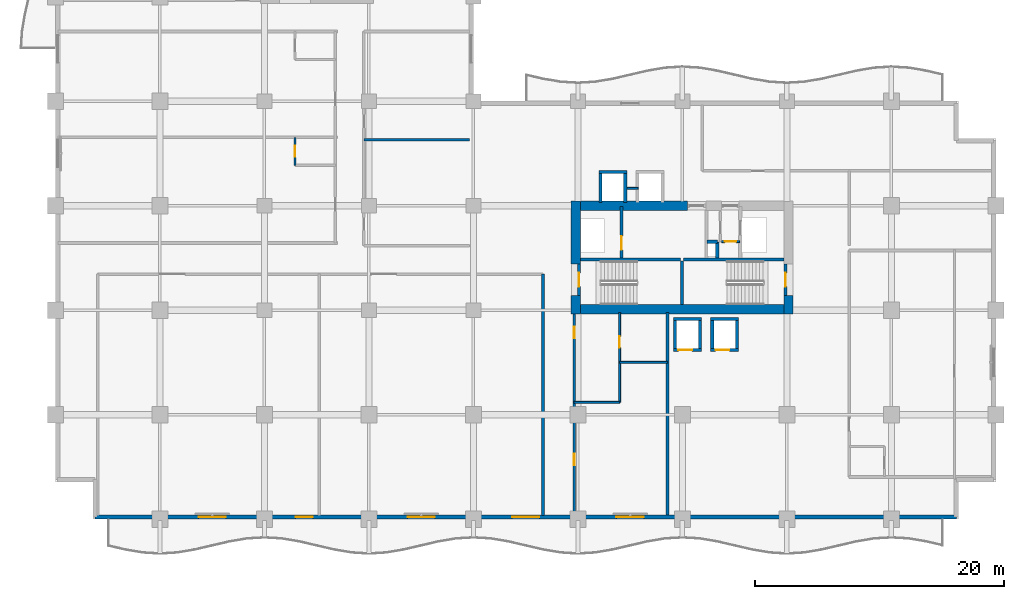
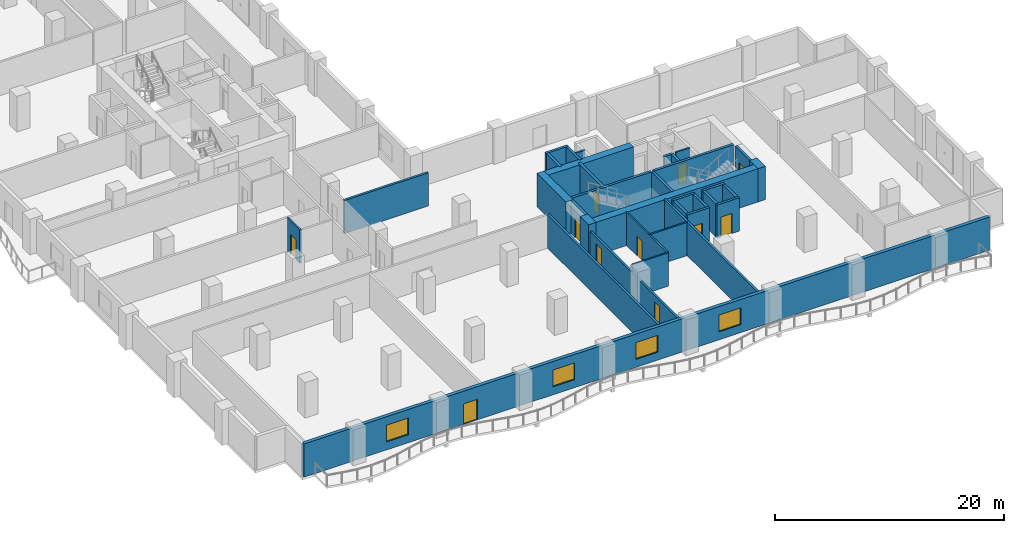
# One storey, part 7 of 22: 35 walls, 11 doors, 4 windows, 15 openings.
"""IFC4 building model written with IfcOpenShell, lengths in metres."""

from ifc_helpers import new_model, si_unit, direction, frame, frame_2d, origin, place, context, subcontext, project, spatial, rectangle, extrude, material, layer, layer_set, type_object, element, fill, save


model = new_model("IFC4")

# Units and contexts
model_context = context("Model", 3, precision=1e-05, world=origin(), true_north=direction((0.0, 1.0)))
body_context = subcontext(model_context, "Body", "Model", "MODEL_VIEW")
ifc_project = project(units=[si_unit("LENGTHUNIT", "METRE"), si_unit("AREAUNIT", "SQUARE_METRE"), si_unit("VOLUMEUNIT", "CUBIC_METRE"), si_unit("PLANEANGLEUNIT", "RADIAN"), si_unit("MASSUNIT", "GRAM", prefix="KILO")], contexts=[model_context])

# Site, building, storey
site_placement = place(None, origin())
site = spatial("IfcSite", under=ifc_project, at=site_placement, CompositionType="ELEMENT")
building_placement = place(site_placement, origin())
building = spatial("IfcBuilding", under=site, at=building_placement, Name="Koriwani Terraces Tower", CompositionType="ELEMENT")
storey_placement = place(building_placement, frame((0.0, 0.0, 141.800048828125)))
storey = spatial("IfcBuildingStorey", under=building, at=storey_placement, Name="L34", CompositionType="ELEMENT", Elevation=141.800048828125)

# Walls
ifc_material_1 = material(Name="Concrete C60/75", Category="concrete")
ifc_layer_1 = layer(ifc_material_1, 0.75, Name="Concrete C60/75")
ifc_layer_set_1 = layer_set([ifc_layer_1], Name="Concrete C60/75")
wall_type_1 = type_object("IfcWallType", Name="WALL_CORE_RC_750", PredefinedType="SHEAR", material=ifc_layer_set_1)
wall_1_placement = place(storey_placement, frame((41.824951171875, 16.5, 0.0), z_axis=(0.0, 0.0, 1.0), x_axis=(0.0, 1.0, 0.0)))
element("IfcWall", 1, at=wall_1_placement, inside=storey, type_object=wall_type_1, Name="L34 East Split Core Shear Wall W1", PredefinedType="SHEAR", context=body_context, shape_type="SweptSolid", body=[
    extrude(rectangle(XDim=1.5, YDim=0.75, at=frame_2d((0.75, 0.0))), origin(), (0.0, 0.0, 1.0), 3.550048828125),
])
wall_2_placement = place(storey_placement, frame((41.824951171875, 20.5, 0.0), z_axis=(0.0, 0.0, 1.0), x_axis=(0.0, 1.0, 0.0)))
element("IfcWall", 2, at=wall_2_placement, inside=storey, type_object=wall_type_1, Name="L34 East Split Core Shear Wall W2", PredefinedType="SHEAR", context=body_context, shape_type="SweptSolid", body=[
    extrude(rectangle(XDim=5.074951171875, YDim=0.75, at=frame_2d((2.53759765625, 0.0))), origin(), (0.0, 0.0, 1.0), 3.550048828125),
])
wall_3_placement = place(storey_placement, frame((58.925048828125, 16.5, 0.0), z_axis=(0.0, 0.0, 1.0), x_axis=(0.0, 1.0, 0.0)))
element("IfcWall", 3, at=wall_3_placement, inside=storey, type_object=wall_type_1, Name="L34 East Split Core Shear Wall E1", PredefinedType="SHEAR", context=body_context, shape_type="SweptSolid", body=[
    extrude(rectangle(XDim=1.5, YDim=0.75, at=frame_2d((0.75, 0.0))), origin(), (0.0, 0.0, 1.0), 3.550048828125),
])
wall_4_placement = place(storey_placement, frame((42.199951171875, 16.875, 0.0), z_axis=(0.0, 0.0, 1.0), x_axis=(1.0, 0.0, 0.0)))
element("IfcWall", 4, at=wall_4_placement, inside=storey, type_object=wall_type_1, Name="L34 East Split Core Shear Wall S1", PredefinedType="SHEAR", context=body_context, shape_type="SweptSolid", body=[
    extrude(rectangle(XDim=16.35009765625, YDim=0.75, at=frame_2d((8.175048828125, 0.0))), origin(), (0.0, 0.0, 1.0), 3.550048828125),
])
wall_5_placement = place(storey_placement, frame((42.199951171875, 25.199951171875, 0.0), z_axis=(0.0, 0.0, 1.0), x_axis=(1.0, 0.0, 0.0)))
element("IfcWall", 5, at=wall_5_placement, inside=storey, type_object=wall_type_1, Name="L34 East Split Core Shear Wall N1", PredefinedType="SHEAR", context=body_context, shape_type="SweptSolid", body=[
    extrude(rectangle(XDim=8.60009765625, YDim=0.75, at=frame_2d((4.300048828125, 0.0))), origin(), (0.0, 0.0, 1.0), 3.550048828125),
])

# Wall, openings, doors
ifc_material_2 = material(Name="Autoclaved Cellular Concrete Blockwork", Category="masonry")
ifc_layer_2 = layer(ifc_material_2, 0.199951171875, Name="Autoclaved Cellular Concrete Blockwork")
ifc_layer_set_2 = layer_set([ifc_layer_2], Name="Autoclaved Cellular Concrete Blockwork")
wall_type_2 = type_object("IfcWallType", Name="WALL_CORRIDOR_200", PredefinedType="PARTITIONING", material=ifc_layer_set_2)
wall_6_placement = place(storey_placement, frame((41.699951171875, 0.35009765625, 0.0), z_axis=(0.0, 0.0, 1.0), x_axis=(0.0, 1.0, 0.0)))
wall_6 = element("IfcWall", 6, at=wall_6_placement, inside=storey, type_object=wall_type_2, Name="L34 Interior Wall WREC-EW-L34", PredefinedType="PARTITIONING", context=body_context, shape_type="SweptSolid", body=[
    extrude(rectangle(XDim=16.25, YDim=0.199951171875, at=frame_2d((8.125, 0.0))), origin(), (0.0, 0.0, 1.0), 2.800048828125),
])
opening_1_placement = place(wall_6_placement, frame((4.0, 0.0, 0.0)))
opening_1 = element("IfcOpeningElement", 7, at=opening_1_placement, cuts=wall_6, Name="Opening D-06", PredefinedType="OPENING", context=body_context, shape_type="SweptSolid", body=[
    extrude(rectangle(XDim=0.919921875, YDim=2.10009765625, at=frame_2d((0.4599609375, 1.050048828125))), frame((0.0, 0.10986328125, 0.0), z_axis=(0.0, -1.0, 0.0), x_axis=(1.0, 0.0, 0.0)), (0.0, 0.0, 1.0), 0.219970703125),
])
opening_2_placement = place(wall_6_placement, frame((14.199951171875, 0.0, 0.0)))
opening_2 = element("IfcOpeningElement", 8, at=opening_2_placement, cuts=wall_6, Name="Opening D-06", PredefinedType="OPENING", context=body_context, shape_type="SweptSolid", body=[
    extrude(rectangle(XDim=0.919921875, YDim=2.10009765625, at=frame_2d((0.4599609375, 1.050048828125))), frame((0.0, 0.10986328125, 0.0), z_axis=(0.0, -1.0, 0.0), x_axis=(1.0, 0.0, 0.0)), (0.0, 0.0, 1.0), 0.219970703125),
])
ifc_material_3 = material(Name="Architectural Oak Fire Door", Category="wood")
door_type_1 = type_object("IfcDoorType", Name="DOOR_ROOM_INT_920X2100", OperationType="NOTDEFINED", PredefinedType="DOOR", material=ifc_material_3)
door_1_placement = place(opening_1_placement, origin())
door_1 = element("IfcDoor", 9, at=door_1_placement, inside=storey, type_object=door_type_1, Name="L34 Floor Study Lounge Door", OperationType="SINGLE_SWING_LEFT", OverallHeight=2.10009765625, OverallWidth=0.919921875, PredefinedType="DOOR", context=body_context, shape_type="SweptSolid", body=[
    extrude(rectangle(XDim=0.919921875, YDim=2.10009765625, at=frame_2d((0.4599609375, 1.050048828125))), frame((0.0, 0.02490234375, 0.0), z_axis=(0.0, -1.0, 0.0), x_axis=(1.0, 0.0, 0.0)), (0.0, 0.0, 1.0), 0.050048828125),
])
fill(opening_1, door_1)
door_2_placement = place(opening_2_placement, origin())
door_2 = element("IfcDoor", 10, at=door_2_placement, inside=storey, type_object=door_type_1, Name="L34 Housekeeping Store Door", OperationType="SINGLE_SWING_RIGHT", OverallHeight=2.10009765625, OverallWidth=0.919921875, PredefinedType="DOOR", context=body_context, shape_type="SweptSolid", body=[
    extrude(rectangle(XDim=0.919921875, YDim=2.10009765625, at=frame_2d((0.4599609375, 1.050048828125))), frame((0.0, 0.02490234375, 0.0), z_axis=(0.0, -1.0, 0.0), x_axis=(1.0, 0.0, 0.0)), (0.0, 0.0, 1.0), 0.050048828125),
])
fill(opening_2, door_2)

# Walls
ifc_layer_3 = layer(ifc_material_2, 0.219970703125, Name="Autoclaved Cellular Concrete Blockwork")
ifc_layer_set_3 = layer_set([ifc_layer_3], Name="Autoclaved Cellular Concrete Blockwork")
wall_type_3 = type_object("IfcWallType", Name="WALL_DEMISING_220", PredefinedType="PARTITIONING", material=ifc_layer_set_3)
wall_7_placement = place(storey_placement, frame((49.199951171875, 0.35009765625, 0.0), z_axis=(0.0, 0.0, 1.0), x_axis=(0.0, 1.0, 0.0)))
element("IfcWall", 11, at=wall_7_placement, inside=storey, type_object=wall_type_3, Name="L34 Interior Wall WREC-EE-L34", PredefinedType="PARTITIONING", context=body_context, shape_type="SweptSolid", body=[
    extrude(rectangle(XDim=16.25, YDim=0.219970703125, at=frame_2d((8.125, 0.0))), origin(), (0.0, 0.0, 1.0), 3.550048828125),
])
wall_8_placement = place(storey_placement, frame((24.800048828125, 30.5, 0.0), z_axis=(0.0, 0.0, 1.0), x_axis=(1.0, 0.0, 0.0)))
element("IfcWall", 12, at=wall_8_placement, inside=storey, type_object=wall_type_3, Name="L34 Interior Wall WIC2-M-L34", PredefinedType="PARTITIONING", context=body_context, shape_type="SweptSolid", body=[
    extrude(rectangle(XDim=8.5, YDim=0.219970703125, at=frame_2d((4.25, 0.0))), origin(), (0.0, 0.0, 1.0), 3.550048828125),
])
wall_9_placement = place(storey_placement, frame((39.199951171875, 0.300048828125, 0.0), z_axis=(0.0, 0.0, 1.0), x_axis=(0.0, 1.0, 0.0)))
element("IfcWall", 13, at=wall_9_placement, inside=storey, type_object=wall_type_3, Name="L34 Interior Wall WC2CFE-L34", PredefinedType="PARTITIONING", context=body_context, shape_type="SweptSolid", body=[
    extrude(rectangle(XDim=19.39990234375, YDim=0.219970703125, at=frame_2d((9.699951171875, 0.0))), origin(), (0.0, 0.0, 1.0), 3.550048828125),
])

# Wall, openings, door, windows
ifc_material_4 = material(Name="Concrete C50/60", Category="concrete")
ifc_layer_4 = layer(ifc_material_4, 0.35009765625, Name="Concrete C50/60")
ifc_layer_set_4 = layer_set([ifc_layer_4], Name="Concrete C50/60")
wall_type_4 = type_object("IfcWallType", Name="WALL_EXT_BRUTALIST_350", PredefinedType="STANDARD", material=ifc_layer_set_4)
wall_10_placement = place(storey_placement, frame((72.425048828125, 0.175048828125, 0.0), z_axis=(0.0, 0.0, 1.0), x_axis=(-1.0, 0.0, 0.0)))
wall_10 = element("IfcWall", 14, at=wall_10_placement, inside=storey, type_object=wall_type_4, Name="L34 Fair-Faced Brutalist Exterior Wall (S)", PredefinedType="STANDARD", context=body_context, shape_type="SweptSolid", body=[
    extrude(rectangle(XDim=69.25, YDim=0.35009765625, at=frame_2d((34.625, 0.0))), origin(), (0.0, 0.0, 1.0), 3.550048828125),
])
opening_3_placement = place(wall_10_placement, frame((51.72509765625, 0.0, 0.0)))
opening_3 = element("IfcOpeningElement", 15, at=opening_3_placement, cuts=wall_10, Name="Opening D-09", PredefinedType="OPENING", context=body_context, shape_type="SweptSolid", body=[
    extrude(rectangle(XDim=1.39990234375, YDim=2.199951171875, at=frame_2d((0.699951171875, 1.10009765625))), frame((0.0, 0.18505859375, 0.0), z_axis=(0.0, -1.0, 0.0), x_axis=(1.0, 0.0, 0.0)), (0.0, 0.0, 1.0), 0.3701171875),
])
opening_4_placement = place(wall_10_placement, frame((58.72509765625, 0.0, 0.85009765625)))
opening_4 = element("IfcOpeningElement", 16, at=opening_4_placement, cuts=wall_10, Name="Opening W-01", PredefinedType="OPENING", context=body_context, shape_type="SweptSolid", body=[
    extrude(rectangle(XDim=2.199951171875, YDim=1.800048828125, at=frame_2d((1.10009765625, 0.89990234375))), frame((0.0, 0.18505859375, 0.0), z_axis=(0.0, -1.0, 0.0), x_axis=(1.0, 0.0, 0.0)), (0.0, 0.0, 1.0), 0.3701171875),
])
opening_5_placement = place(wall_10_placement, frame((41.925048828125, 0.0, 0.85009765625)))
opening_5 = element("IfcOpeningElement", 17, at=opening_5_placement, cuts=wall_10, Name="Opening W-01", PredefinedType="OPENING", context=body_context, shape_type="SweptSolid", body=[
    extrude(rectangle(XDim=2.199951171875, YDim=1.800048828125, at=frame_2d((1.10009765625, 0.89990234375))), frame((0.0, 0.18505859375, 0.0), z_axis=(0.0, -1.0, 0.0), x_axis=(1.0, 0.0, 0.0)), (0.0, 0.0, 1.0), 0.3701171875),
])
opening_6_placement = place(wall_10_placement, frame((33.52490234375, 0.0, 0.85009765625)))
opening_6 = element("IfcOpeningElement", 18, at=opening_6_placement, cuts=wall_10, Name="Opening W-01", PredefinedType="OPENING", context=body_context, shape_type="SweptSolid", body=[
    extrude(rectangle(XDim=2.199951171875, YDim=1.800048828125, at=frame_2d((1.10009765625, 0.89990234375))), frame((0.0, 0.18505859375, 0.0), z_axis=(0.0, -1.0, 0.0), x_axis=(1.0, 0.0, 0.0)), (0.0, 0.0, 1.0), 0.3701171875),
])
opening_7_placement = place(wall_10_placement, frame((25.125, 0.0, 0.85009765625)))
opening_7 = element("IfcOpeningElement", 19, at=opening_7_placement, cuts=wall_10, Name="Opening W-01", PredefinedType="OPENING", context=body_context, shape_type="SweptSolid", body=[
    extrude(rectangle(XDim=2.199951171875, YDim=1.800048828125, at=frame_2d((1.10009765625, 0.89990234375))), frame((0.0, 0.18505859375, 0.0), z_axis=(0.0, -1.0, 0.0), x_axis=(1.0, 0.0, 0.0)), (0.0, 0.0, 1.0), 0.3701171875),
])
ifc_material_5 = material(Name="Anodised Bronze Aluminium", Category="aluminium")
door_type_2 = type_object("IfcDoorType", Name="DOOR_BALCONY_GLAZED_1400X2200", OperationType="NOTDEFINED", PredefinedType="DOOR", material=ifc_material_5)
door_3_placement = place(opening_3_placement, origin())
door_3 = element("IfcDoor", 20, at=door_3_placement, inside=storey, type_object=door_type_2, Name="L34 South Balcony Glazed Door", OperationType="SINGLE_SWING_LEFT", OverallHeight=2.199951171875, OverallWidth=1.39990234375, PredefinedType="DOOR", context=body_context, shape_type="SweptSolid", body=[
    extrude(rectangle(XDim=1.39990234375, YDim=2.199951171875, at=frame_2d((0.699951171875, 1.10009765625))), frame((0.0, 0.02490234375, 0.0), z_axis=(0.0, -1.0, 0.0), x_axis=(1.0, 0.0, 0.0)), (0.0, 0.0, 1.0), 0.050048828125),
])
fill(opening_3, door_3)
ifc_material_6 = material(Name="Tempered Laminated Low-E Glass", Category="glass")
window_type = type_object("IfcWindowType", Name="WIN_HOTEL_STD_2200X1800", PartitioningType="DOUBLE_PANEL_VERTICAL", PredefinedType="WINDOW", material=ifc_material_6)
window_1_placement = place(opening_4_placement, origin())
window_1 = element("IfcWindow", 21, at=window_1_placement, inside=storey, type_object=window_type, Name="L34 Exterior Window (S-3)", OverallHeight=1.800048828125, OverallWidth=2.199951171875, PartitioningType="SINGLE_PANEL", PredefinedType="WINDOW", context=body_context, shape_type="SweptSolid", body=[
    extrude(rectangle(XDim=2.199951171875, YDim=1.800048828125, at=frame_2d((1.10009765625, 0.89990234375))), frame((0.0, 0.030029296875, 0.0), z_axis=(0.0, -1.0, 0.0), x_axis=(1.0, 0.0, 0.0)), (0.0, 0.0, 1.0), 0.06005859375),
])
fill(opening_4, window_1)
window_2_placement = place(opening_5_placement, origin())
window_2 = element("IfcWindow", 22, at=window_2_placement, inside=storey, type_object=window_type, Name="L34 Exterior Window (S-9)", OverallHeight=1.800048828125, OverallWidth=2.199951171875, PartitioningType="SINGLE_PANEL", PredefinedType="WINDOW", context=body_context, shape_type="SweptSolid", body=[
    extrude(rectangle(XDim=2.199951171875, YDim=1.800048828125, at=frame_2d((1.10009765625, 0.89990234375))), frame((0.0, 0.030029296875, 0.0), z_axis=(0.0, -1.0, 0.0), x_axis=(1.0, 0.0, 0.0)), (0.0, 0.0, 1.0), 0.06005859375),
])
fill(opening_5, window_2)
window_3_placement = place(opening_6_placement, origin())
window_3 = element("IfcWindow", 23, at=window_3_placement, inside=storey, type_object=window_type, Name="L34 Exterior Window (S-12)", OverallHeight=1.800048828125, OverallWidth=2.199951171875, PartitioningType="SINGLE_PANEL", PredefinedType="WINDOW", context=body_context, shape_type="SweptSolid", body=[
    extrude(rectangle(XDim=2.199951171875, YDim=1.800048828125, at=frame_2d((1.10009765625, 0.89990234375))), frame((0.0, 0.030029296875, 0.0), z_axis=(0.0, -1.0, 0.0), x_axis=(1.0, 0.0, 0.0)), (0.0, 0.0, 1.0), 0.06005859375),
])
fill(opening_6, window_3)
window_4_placement = place(opening_7_placement, origin())
window_4 = element("IfcWindow", 24, at=window_4_placement, inside=storey, type_object=window_type, Name="L34 Exterior Window (S-15)", OverallHeight=1.800048828125, OverallWidth=2.199951171875, PartitioningType="SINGLE_PANEL", PredefinedType="WINDOW", context=body_context, shape_type="SweptSolid", body=[
    extrude(rectangle(XDim=2.199951171875, YDim=1.800048828125, at=frame_2d((1.10009765625, 0.89990234375))), frame((0.0, 0.030029296875, 0.0), z_axis=(0.0, -1.0, 0.0), x_axis=(1.0, 0.0, 0.0)), (0.0, 0.0, 1.0), 0.06005859375),
])
fill(opening_7, window_4)

# Wall, opening, door
ifc_material_7 = material(Name="Fire-Rated Acoustic Gypsum Partition", Category="masonry")
ifc_layer_5 = layer(ifc_material_7, 0.179931640625, Name="Fire-Rated Acoustic Gypsum Partition")
ifc_layer_set_5 = layer_set([ifc_layer_5], Name="Fire-Rated Acoustic Gypsum Partition")
wall_type_5 = type_object("IfcWallType", Name="WALL_PLUMBING_180", PredefinedType="PLUMBINGWALL", material=ifc_layer_set_5)
wall_11_placement = place(storey_placement, frame((19.25, 28.449951171875, 0.0), z_axis=(0.0, 0.0, 1.0), x_axis=(0.0, 1.0, 0.0)))
wall_11 = element("IfcWall", 25, at=wall_11_placement, inside=storey, type_object=wall_type_5, Name="L34 Interior Wall WBTH1-L34-NW-0", PredefinedType="PLUMBINGWALL", context=body_context, shape_type="SweptSolid", body=[
    extrude(rectangle(XDim=2.25, YDim=0.179931640625, at=frame_2d((1.125, 0.0))), origin(), (0.0, 0.0, 1.0), 3.550048828125),
])
opening_8_placement = place(wall_11_placement, frame((0.675048828125, 0.0, 0.0)))
opening_8 = element("IfcOpeningElement", 26, at=opening_8_placement, cuts=wall_11, Name="Opening D-07", PredefinedType="OPENING", context=body_context, shape_type="SweptSolid", body=[
    extrude(rectangle(XDim=0.89990234375, YDim=2.10009765625, at=frame_2d((0.449951171875, 1.050048828125))), frame((0.0, 0.10009765625, 0.0), z_axis=(0.0, -1.0, 0.0), x_axis=(1.0, 0.0, 0.0)), (0.0, 0.0, 1.0), 0.199951171875),
])
door_type_3 = type_object("IfcDoorType", Name="DOOR_BATH_INT_900X2100", OperationType="NOTDEFINED", PredefinedType="DOOR", material=ifc_material_3)
door_4_placement = place(opening_8_placement, origin())
door_4 = element("IfcDoor", 27, at=door_4_placement, inside=storey, type_object=door_type_3, Name="En-Suite Bathroom 34NW1 Door", OperationType="SINGLE_SWING_RIGHT", OverallHeight=2.10009765625, OverallWidth=0.89990234375, PredefinedType="DOOR", context=body_context, shape_type="SweptSolid", body=[
    extrude(rectangle(XDim=0.89990234375, YDim=2.10009765625, at=frame_2d((0.449951171875, 1.050048828125))), frame((0.0, 0.02490234375, 0.0), z_axis=(0.0, -1.0, 0.0), x_axis=(1.0, 0.0, 0.0)), (0.0, 0.0, 1.0), 0.050048828125),
])
fill(opening_8, door_4)

# Walls
ifc_material_8 = material(Name="Concrete C40/50", Category="concrete")
ifc_layer_6 = layer(ifc_material_8, 0.25, Name="Concrete C40/50")
ifc_layer_set_6 = layer_set([ifc_layer_6], Name="Concrete C40/50")
wall_type_6 = type_object("IfcWallType", Name="WALL_SHAFT_RATED_250", PredefinedType="SOLIDWALL", material=ifc_layer_set_6)
for number, where, z_axis, x_axis, name in (
    (28, (42.199951171875, 20.875, 0.0), (0.0, 0.0, 1.0), (1.0, 0.0, 0.0), "L34 East Split Core Web Wall MID1"),
    (29, (50.5, 20.875, 0.0), (0.0, 0.0, 1.0), (1.0, 0.0, 0.0), "L34 East Split Core Web Wall MID2"),
):
    element("IfcWall", number, at=place(storey_placement, frame(where, z_axis=z_axis, x_axis=x_axis)), inside=storey, type_object=wall_type_6, Name=name, PredefinedType="SOLIDWALL", context=body_context, shape_type="SweptSolid", body=[
        extrude(rectangle(XDim=8.050048828125, YDim=0.25, at=frame_2d((4.02490234375, 0.0))), origin(), (0.0, 0.0, 1.0), 3.550048828125),
    ])
wall_12_placement = place(storey_placement, frame((50.375, 17.25, 0.0), z_axis=(0.0, 0.0, 1.0), x_axis=(0.0, 1.0, 0.0)))
element("IfcWall", 30, at=wall_12_placement, inside=storey, type_object=wall_type_6, Name="L34 East Split Core Stair Dividing Wall", PredefinedType="SOLIDWALL", context=body_context, shape_type="SweptSolid", body=[
    extrude(rectangle(XDim=3.5, YDim=0.25, at=frame_2d((1.75, 0.0))), origin(), (0.0, 0.0, 1.0), 3.550048828125),
])

# Wall, opening, door
wall_13_placement = place(storey_placement, frame((42.074951171875, 18.0, 0.0), z_axis=(0.0, 0.0, 1.0), x_axis=(0.0, 1.0, 0.0)))
wall_13 = element("IfcWall", 31, at=wall_13_placement, inside=storey, type_object=wall_type_6, Name="L34 Interior Wall WIN-CE-L34-STW", PredefinedType="SOLIDWALL", context=body_context, shape_type="SweptSolid", body=[
    extrude(rectangle(XDim=2.5, YDim=0.25, at=frame_2d((1.25, 0.0))), origin(), (0.0, 0.0, 1.0), 3.550048828125),
])
opening_9_placement = place(wall_13_placement, frame((0.699951171875, 0.0, 0.0)))
opening_9 = element("IfcOpeningElement", 32, at=opening_9_placement, cuts=wall_13, Name="Opening D-03", PredefinedType="OPENING", context=body_context, shape_type="SweptSolid", body=[
    extrude(rectangle(XDim=1.10009765625, YDim=2.14990234375, at=frame_2d((0.550048828125, 1.074951171875))), frame((0.0, 0.135009765625, 0.0), z_axis=(0.0, -1.0, 0.0), x_axis=(1.0, 0.0, 0.0)), (0.0, 0.0, 1.0), 0.27001953125),
])
ifc_material_9 = material(Name="Steel ASTM A572 Grade 50", Category="steel")
door_type_4 = type_object("IfcDoorType", Name="DOOR_STAIR_FIRE_1100X2150", OperationType="NOTDEFINED", PredefinedType="DOOR", material=ifc_material_9)
door_5_placement = place(opening_9_placement, origin())
door_5 = element("IfcDoor", 33, at=door_5_placement, inside=storey, type_object=door_type_4, Name="L34 Exit Stair ST-E1 Door", OperationType="SINGLE_SWING_RIGHT", OverallHeight=2.14990234375, OverallWidth=1.10009765625, PredefinedType="DOOR", context=body_context, shape_type="SweptSolid", body=[
    extrude(rectangle(XDim=1.10009765625, YDim=2.14990234375, at=frame_2d((0.550048828125, 1.074951171875))), frame((0.0, 0.02490234375, 0.0), z_axis=(0.0, -1.0, 0.0), x_axis=(1.0, 0.0, 0.0)), (0.0, 0.0, 1.0), 0.050048828125),
])
fill(opening_9, door_5)

wall_14_placement = place(storey_placement, frame((58.675048828125, 18.0, 0.0), z_axis=(0.0, 0.0, 1.0), x_axis=(0.0, 1.0, 0.0)))
wall_14 = element("IfcWall", 34, at=wall_14_placement, inside=storey, type_object=wall_type_6, Name="L34 Interior Wall WIN-CE-L34-STE", PredefinedType="SOLIDWALL", context=body_context, shape_type="SweptSolid", body=[
    extrude(rectangle(XDim=2.5, YDim=0.25, at=frame_2d((1.25, 0.0))), origin(), (0.0, 0.0, 1.0), 3.550048828125),
])
opening_10_placement = place(wall_14_placement, frame((0.699951171875, 0.0, 0.0)))
opening_10 = element("IfcOpeningElement", 35, at=opening_10_placement, cuts=wall_14, Name="Opening D-03", PredefinedType="OPENING", context=body_context, shape_type="SweptSolid", body=[
    extrude(rectangle(XDim=1.10009765625, YDim=2.14990234375, at=frame_2d((0.550048828125, 1.074951171875))), frame((0.0, 0.135009765625, 0.0), z_axis=(0.0, -1.0, 0.0), x_axis=(1.0, 0.0, 0.0)), (0.0, 0.0, 1.0), 0.27001953125),
])
door_6_placement = place(opening_10_placement, origin())
door_6 = element("IfcDoor", 36, at=door_6_placement, inside=storey, type_object=door_type_4, Name="L34 Exit Stair ST-E2 Door", OperationType="SINGLE_SWING_LEFT", OverallHeight=2.14990234375, OverallWidth=1.10009765625, PredefinedType="DOOR", context=body_context, shape_type="SweptSolid", body=[
    extrude(rectangle(XDim=1.10009765625, YDim=2.14990234375, at=frame_2d((0.550048828125, 1.074951171875))), frame((0.0, 0.02490234375, 0.0), z_axis=(0.0, -1.0, 0.0), x_axis=(1.0, 0.0, 0.0)), (0.0, 0.0, 1.0), 0.050048828125),
])
fill(opening_10, door_6)

wall_15_placement = place(storey_placement, frame((45.5, 21.0, 0.0), z_axis=(0.0, 0.0, 1.0), x_axis=(0.0, 1.0, 0.0)))
wall_15 = element("IfcWall", 37, at=wall_15_placement, inside=storey, type_object=wall_type_6, Name="L34 Interior Wall WIN-CE-L34-FE", PredefinedType="SOLIDWALL", context=body_context, shape_type="SweptSolid", body=[
    extrude(rectangle(XDim=4.14990234375, YDim=0.25, at=frame_2d((2.074951171875, 0.0))), origin(), (0.0, 0.0, 1.0), 3.550048828125),
])
opening_11_placement = place(wall_15_placement, frame((0.64990234375, 0.0, 0.0)))
opening_11 = element("IfcOpeningElement", 38, at=opening_11_placement, cuts=wall_15, Name="Opening LD-01", PredefinedType="OPENING", context=body_context, shape_type="SweptSolid", body=[
    extrude(rectangle(XDim=1.10009765625, YDim=2.14990234375, at=frame_2d((0.550048828125, 1.074951171875))), frame((0.0, 0.135009765625, 0.0), z_axis=(0.0, -1.0, 0.0), x_axis=(1.0, 0.0, 0.0)), (0.0, 0.0, 1.0), 0.27001953125),
])
door_type_5 = type_object("IfcDoorType", Name="DOOR_LIFT_LANDING_1100X2200", OperationType="NOTDEFINED", PredefinedType="DOOR", material=ifc_material_9)
door_7_placement = place(opening_11_placement, origin())
door_7 = element("IfcDoor", 39, at=door_7_placement, inside=storey, type_object=door_type_5, Name="L34 Firefighting Lift FE-02 Landing Door", OperationType="SLIDING_TO_LEFT", OverallHeight=2.14990234375, OverallWidth=1.10009765625, PredefinedType="DOOR", context=body_context, shape_type="SweptSolid", body=[
    extrude(rectangle(XDim=1.10009765625, YDim=2.14990234375, at=frame_2d((0.550048828125, 1.074951171875))), frame((0.0, 0.02490234375, 0.0), z_axis=(0.0, -1.0, 0.0), x_axis=(1.0, 0.0, 0.0)), (0.0, 0.0, 1.0), 0.050048828125),
])
fill(opening_11, door_7)

# Walls
wall_16_placement = place(storey_placement, frame((53.199951171875, 21.0, 0.0), z_axis=(0.0, 0.0, 1.0), x_axis=(0.0, 1.0, 0.0)))
element("IfcWall", 40, at=wall_16_placement, inside=storey, type_object=wall_type_6, Name="L34 Interior Wall WIN-CE-L34-RS1", PredefinedType="SOLIDWALL", context=body_context, shape_type="SweptSolid", body=[
    extrude(rectangle(XDim=1.300048828125, YDim=0.25, at=frame_2d((0.64990234375, 0.0))), origin(), (0.0, 0.0, 1.0), 3.550048828125),
])
wall_17_placement = place(storey_placement, frame((52.360107421875, 22.300048828125, 0.0), z_axis=(0.0, 0.0, 1.0), x_axis=(1.0, 0.0, 0.0)))
element("IfcWall", 41, at=wall_17_placement, inside=storey, type_object=wall_type_6, Name="L34 Interior Wall WIN-CE-L34-RS2", PredefinedType="SOLIDWALL", context=body_context, shape_type="SweptSolid", body=[
    extrude(rectangle(XDim=0.83984375, YDim=0.25, at=frame_2d((0.419921875, 0.0))), origin(), (0.0, 0.0, 1.0), 3.550048828125),
])

# Wall, opening, door
wall_18_placement = place(storey_placement, frame((49.675048828125, 13.60009765625, 0.0), z_axis=(0.0, 0.0, 1.0), x_axis=(1.0, 0.0, 0.0)))
wall_18 = element("IfcWall", 42, at=wall_18_placement, inside=storey, type_object=wall_type_6, Name="L34 Interior Wall WIN-LF-PE-M3-L34-F", PredefinedType="SOLIDWALL", context=body_context, shape_type="SweptSolid", body=[
    extrude(rectangle(XDim=2.25, YDim=0.25, at=frame_2d((1.125, 0.0))), origin(), (0.0, 0.0, 1.0), 3.550048828125),
])
opening_12_placement = place(wall_18_placement, frame((0.39990234375, 0.0, 0.0)))
opening_12 = element("IfcOpeningElement", 43, at=opening_12_placement, cuts=wall_18, Name="Opening LD-01", PredefinedType="OPENING", context=body_context, shape_type="SweptSolid", body=[
    extrude(rectangle(XDim=1.10009765625, YDim=2.14990234375, at=frame_2d((0.550048828125, 1.074951171875))), frame((0.0, 0.135009765625, 0.0), z_axis=(0.0, -1.0, 0.0), x_axis=(1.0, 0.0, 0.0)), (0.0, 0.0, 1.0), 0.27001953125),
])
door_8_placement = place(opening_12_placement, origin())
door_8 = element("IfcDoor", 44, at=door_8_placement, inside=storey, type_object=door_type_5, Name="L34 Passenger Lift PE-M3 Landing Door", OperationType="SLIDING_TO_LEFT", OverallHeight=2.14990234375, OverallWidth=1.10009765625, PredefinedType="DOOR", context=body_context, shape_type="SweptSolid", body=[
    extrude(rectangle(XDim=1.10009765625, YDim=2.14990234375, at=frame_2d((0.550048828125, 1.074951171875))), frame((0.0, 0.02490234375, 0.0), z_axis=(0.0, -1.0, 0.0), x_axis=(1.0, 0.0, 0.0)), (0.0, 0.0, 1.0), 0.050048828125),
])
fill(opening_12, door_8)

# Walls
for number, where, z_axis, x_axis, name in (
    (45, (49.675048828125, 16.10009765625, 0.0), (0.0, 0.0, 1.0), (1.0, 0.0, 0.0), "L34 Interior Wall WIN-LF-PE-M3-L34-B"),
    (46, (49.800048828125, 13.72509765625, 0.0), (0.0, 0.0, 1.0), (0.0, 1.0, 0.0), "L34 Interior Wall WIN-LF-PE-M3-L34-W"),
    (47, (51.800048828125, 13.72509765625, 0.0), (0.0, 0.0, 1.0), (0.0, 1.0, 0.0), "L34 Interior Wall WIN-LF-PE-M3-L34-E"),
):
    element("IfcWall", number, at=place(storey_placement, frame(where, z_axis=z_axis, x_axis=x_axis)), inside=storey, type_object=wall_type_6, Name=name, PredefinedType="SOLIDWALL", context=body_context, shape_type="SweptSolid", body=[
        extrude(rectangle(XDim=2.25, YDim=0.25, at=frame_2d((1.125, 0.0))), origin(), (0.0, 0.0, 1.0), 3.550048828125),
    ])

# Wall, opening, door
wall_19_placement = place(storey_placement, frame((52.675048828125, 13.60009765625, 0.0), z_axis=(0.0, 0.0, 1.0), x_axis=(1.0, 0.0, 0.0)))
wall_19 = element("IfcWall", 48, at=wall_19_placement, inside=storey, type_object=wall_type_6, Name="L34 Interior Wall WIN-LF-PE-M4-L34-F", PredefinedType="SOLIDWALL", context=body_context, shape_type="SweptSolid", body=[
    extrude(rectangle(XDim=2.25, YDim=0.25, at=frame_2d((1.125, 0.0))), origin(), (0.0, 0.0, 1.0), 3.550048828125),
])
opening_13_placement = place(wall_19_placement, frame((0.39990234375, 0.0, 0.0)))
opening_13 = element("IfcOpeningElement", 49, at=opening_13_placement, cuts=wall_19, Name="Opening LD-01", PredefinedType="OPENING", context=body_context, shape_type="SweptSolid", body=[
    extrude(rectangle(XDim=1.10009765625, YDim=2.14990234375, at=frame_2d((0.550048828125, 1.074951171875))), frame((0.0, 0.135009765625, 0.0), z_axis=(0.0, -1.0, 0.0), x_axis=(1.0, 0.0, 0.0)), (0.0, 0.0, 1.0), 0.27001953125),
])
door_9_placement = place(opening_13_placement, origin())
door_9 = element("IfcDoor", 50, at=door_9_placement, inside=storey, type_object=door_type_5, Name="L34 Passenger Lift PE-M4 Landing Door", OperationType="SLIDING_TO_LEFT", OverallHeight=2.14990234375, OverallWidth=1.10009765625, PredefinedType="DOOR", context=body_context, shape_type="SweptSolid", body=[
    extrude(rectangle(XDim=1.10009765625, YDim=2.14990234375, at=frame_2d((0.550048828125, 1.074951171875))), frame((0.0, 0.02490234375, 0.0), z_axis=(0.0, -1.0, 0.0), x_axis=(1.0, 0.0, 0.0)), (0.0, 0.0, 1.0), 0.050048828125),
])
fill(opening_13, door_9)

# Walls
for number, where, z_axis, x_axis, name in (
    (51, (52.675048828125, 16.10009765625, 0.0), (0.0, 0.0, 1.0), (1.0, 0.0, 0.0), "L34 Interior Wall WIN-LF-PE-M4-L34-B"),
    (52, (52.800048828125, 13.72509765625, 0.0), (0.0, 0.0, 1.0), (0.0, 1.0, 0.0), "L34 Interior Wall WIN-LF-PE-M4-L34-W"),
    (53, (54.800048828125, 13.72509765625, 0.0), (0.0, 0.0, 1.0), (0.0, 1.0, 0.0), "L34 Interior Wall WIN-LF-PE-M4-L34-E"),
    (54, (43.675048828125, 27.89990234375, 0.0), (0.0, 0.0, 1.0), (1.0, 0.0, 0.0), "L34 Interior Wall WIN-LF-PE-H3-L34-F"),
):
    element("IfcWall", number, at=place(storey_placement, frame(where, z_axis=z_axis, x_axis=x_axis)), inside=storey, type_object=wall_type_6, Name=name, PredefinedType="SOLIDWALL", context=body_context, shape_type="SweptSolid", body=[
        extrude(rectangle(XDim=2.25, YDim=0.25, at=frame_2d((1.125, 0.0))), origin(), (0.0, 0.0, 1.0), 3.550048828125),
    ])
for number, where, z_axis, x_axis, name in (
    (55, (43.800048828125, 25.449951171875, 0.0), (0.0, 0.0, 1.0), (0.0, 1.0, 0.0), "L34 Interior Wall WIN-LF-PE-H3-L34-W"),
    (56, (45.800048828125, 25.449951171875, 0.0), (0.0, 0.0, 1.0), (0.0, 1.0, 0.0), "L34 Interior Wall WIN-LF-PE-H3-L34-E"),
):
    element("IfcWall", number, at=place(storey_placement, frame(where, z_axis=z_axis, x_axis=x_axis)), inside=storey, type_object=wall_type_6, Name=name, PredefinedType="SOLIDWALL", context=body_context, shape_type="SweptSolid", body=[
        extrude(rectangle(XDim=2.324951171875, YDim=0.25, at=frame_2d((1.16259765625, 0.0))), origin(), (0.0, 0.0, 1.0), 3.550048828125),
    ])

# Wall, opening, door
ifc_layer_7 = layer(ifc_material_7, 0.159912109375, Name="Fire-Rated Acoustic Gypsum Partition")
ifc_layer_set_7 = layer_set([ifc_layer_7], Name="Fire-Rated Acoustic Gypsum Partition")
wall_type_7 = type_object("IfcWallType", Name="WALL_SUITE_160", PredefinedType="PARTITIONING", material=ifc_layer_set_7)
wall_20_placement = place(storey_placement, frame((53.56005859375, 22.320068359375, 0.0), z_axis=(0.0, 0.0, 1.0), x_axis=(1.0, 0.0, 0.0)))
wall_20 = element("IfcWall", 57, at=wall_20_placement, inside=storey, type_object=wall_type_7, Name="L34 Interior Wall WIN-CE-L34-SV1A", PredefinedType="PARTITIONING", context=body_context, shape_type="SweptSolid", body=[
    extrude(rectangle(XDim=1.43994140625, YDim=0.159912109375, at=frame_2d((0.719970703125, 0.0))), origin(), (0.0, 0.0, 1.0), 3.550048828125),
])
opening_14_placement = place(wall_20_placement, frame((0.260009765625, 0.0, 0.0)))
opening_14 = element("IfcOpeningElement", 58, at=opening_14_placement, cuts=wall_20, Name="Opening D-07", PredefinedType="OPENING", context=body_context, shape_type="SweptSolid", body=[
    extrude(rectangle(XDim=0.89990234375, YDim=2.10009765625, at=frame_2d((0.449951171875, 1.050048828125))), frame((0.0, 0.08984375, 0.0), z_axis=(0.0, -1.0, 0.0), x_axis=(1.0, 0.0, 0.0)), (0.0, 0.0, 1.0), 0.179931640625),
])
door_10_placement = place(opening_14_placement, origin())
door_10 = element("IfcDoor", 59, at=door_10_placement, inside=storey, type_object=door_type_3, Name="L34 East Telecom Room Door", OperationType="SINGLE_SWING_RIGHT", OverallHeight=2.10009765625, OverallWidth=0.89990234375, PredefinedType="DOOR", context=body_context, shape_type="SweptSolid", body=[
    extrude(rectangle(XDim=0.89990234375, YDim=2.10009765625, at=frame_2d((0.449951171875, 1.050048828125))), frame((0.0, 0.02490234375, 0.0), z_axis=(0.0, -1.0, 0.0), x_axis=(1.0, 0.0, 0.0)), (0.0, 0.0, 1.0), 0.050048828125),
])
fill(opening_14, door_10)

# Walls
wall_21_placement = place(storey_placement, frame((45.9599609375, 26.60009765625, 0.0), z_axis=(0.0, 0.0, 1.0), x_axis=(1.0, 0.0, 0.0)))
element("IfcWall", 60, at=wall_21_placement, inside=storey, type_object=wall_type_7, Name="L34 Interior Wall WIN-LF-PEH34-MID-L34", PredefinedType="PARTITIONING", context=body_context, shape_type="SweptSolid", body=[
    extrude(rectangle(XDim=0.880126953125, YDim=0.159912109375, at=frame_2d((0.43994140625, 0.0))), origin(), (0.0, 0.0, 1.0), 3.550048828125),
])
wall_22_placement = place(storey_placement, frame((41.699951171875, 9.39990234375, 0.0), z_axis=(0.0, 0.0, 1.0), x_axis=(1.0, 0.0, 0.0)))
element("IfcWall", 61, at=wall_22_placement, inside=storey, type_object=wall_type_7, Name="L34 Interior Wall WREC-EM1-L34", PredefinedType="PARTITIONING", context=body_context, shape_type="SweptSolid", body=[
    extrude(rectangle(XDim=3.650146484375, YDim=0.159912109375, at=frame_2d((1.8251953125, 0.0))), origin(), (0.0, 0.0, 1.0), 3.550048828125),
])
wall_23_placement = place(storey_placement, frame((45.35009765625, 12.60009765625, 0.0), z_axis=(0.0, 0.0, 1.0), x_axis=(1.0, 0.0, 0.0)))
element("IfcWall", 62, at=wall_23_placement, inside=storey, type_object=wall_type_7, Name="L34 Interior Wall WREC-EM2-L34", PredefinedType="PARTITIONING", context=body_context, shape_type="SweptSolid", body=[
    extrude(rectangle(XDim=3.849853515625, YDim=0.159912109375, at=frame_2d((1.9248046875, 0.0))), origin(), (0.0, 0.0, 1.0), 3.550048828125),
])

# Wall, opening, door
wall_24_placement = place(storey_placement, frame((45.35009765625, 9.39990234375, 0.0), z_axis=(0.0, 0.0, 1.0), x_axis=(0.0, 1.0, 0.0)))
wall_24 = element("IfcWall", 63, at=wall_24_placement, inside=storey, type_object=wall_type_7, Name="L34 Interior Wall WREC-EV-L34", PredefinedType="PARTITIONING", context=body_context, shape_type="SweptSolid", body=[
    extrude(rectangle(XDim=7.2001953125, YDim=0.159912109375, at=frame_2d((3.60009765625, 0.0))), origin(), (0.0, 0.0, 1.0), 3.550048828125),
])
opening_15_placement = place(wall_24_placement, frame((4.39990234375, 0.0, 0.0)))
opening_15 = element("IfcOpeningElement", 64, at=opening_15_placement, cuts=wall_24, Name="Opening D-07", PredefinedType="OPENING", context=body_context, shape_type="SweptSolid", body=[
    extrude(rectangle(XDim=0.89990234375, YDim=2.10009765625, at=frame_2d((0.449951171875, 1.050048828125))), frame((0.0, 0.08984375, 0.0), z_axis=(0.0, -1.0, 0.0), x_axis=(1.0, 0.0, 0.0)), (0.0, 0.0, 1.0), 0.179931640625),
])
door_11_placement = place(opening_15_placement, origin())
door_11 = element("IfcDoor", 65, at=door_11_placement, inside=storey, type_object=door_type_3, Name="L34 Guest Ice Pantry Door", OperationType="SINGLE_SWING_RIGHT", OverallHeight=2.10009765625, OverallWidth=0.89990234375, PredefinedType="DOOR", context=body_context, shape_type="SweptSolid", body=[
    extrude(rectangle(XDim=0.89990234375, YDim=2.10009765625, at=frame_2d((0.449951171875, 1.050048828125))), frame((0.0, 0.02490234375, 0.0), z_axis=(0.0, -1.0, 0.0), x_axis=(1.0, 0.0, 0.0)), (0.0, 0.0, 1.0), 0.050048828125),
])
fill(opening_15, door_11)

save(model, "model.ifc")
